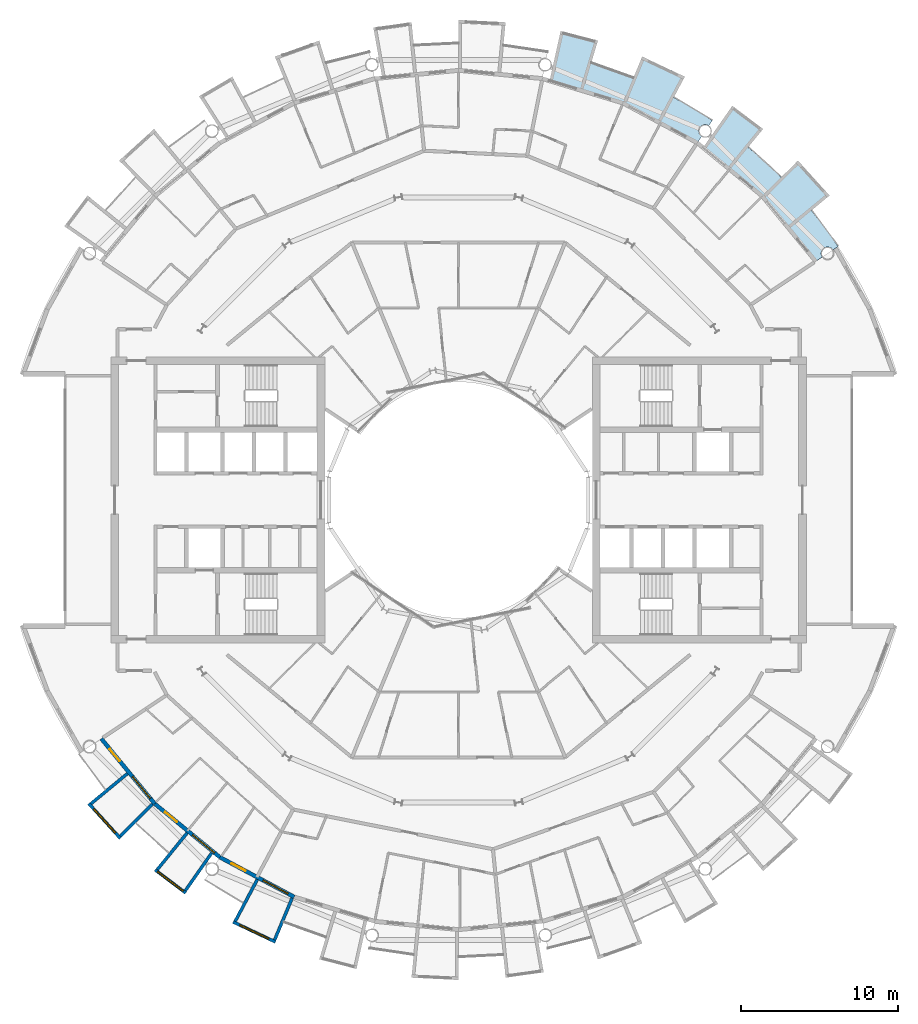
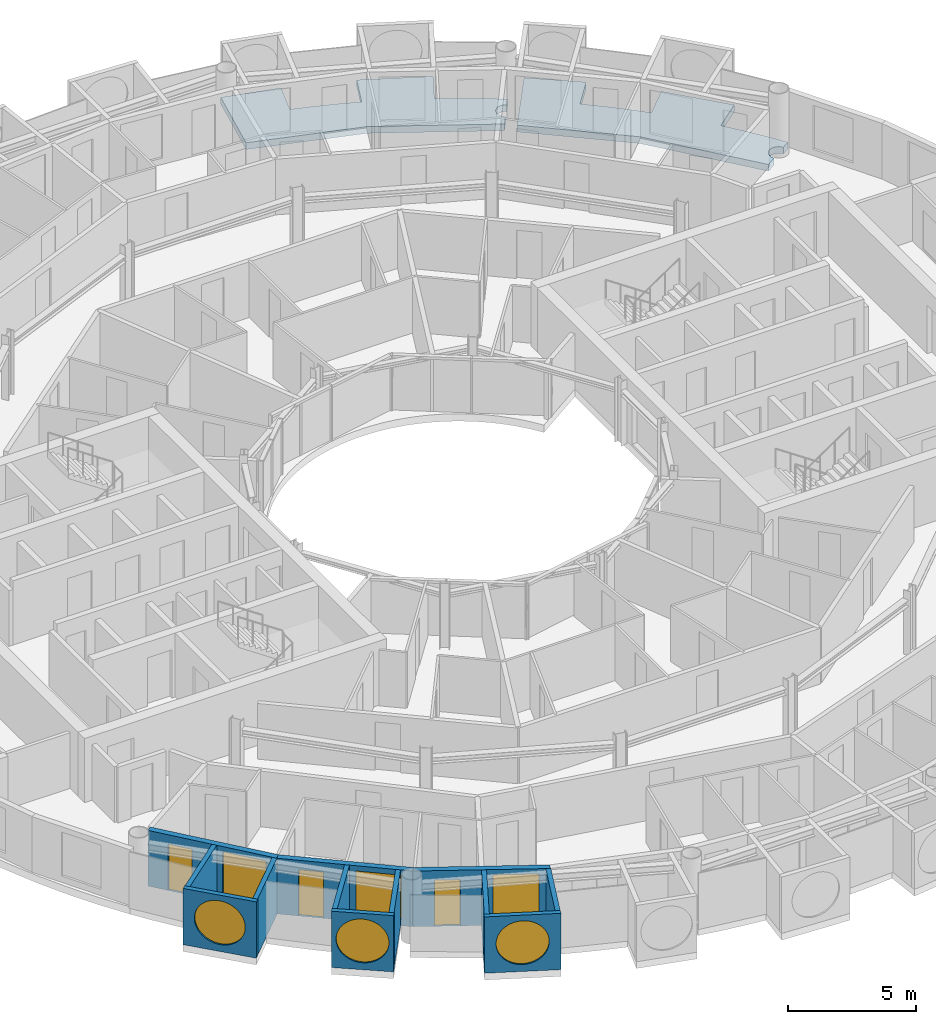
# One storey, part 13 of 26: 12 walls, 6 windows, 3 doors, 2 slabs, 9 openings.
"""IFC4 building model written with IfcOpenShell, lengths in metres."""

from ifc_helpers import new_model, si_unit, direction, frame, frame_2d, origin, place, context, subcontext, project, spatial, polyline, rectangle, circle, outline, extrude, material, layer, layer_set, type_object, element, fill, save


model = new_model("IFC4")

# Units and contexts
model_context = context("Model", 3, precision=1e-05, world=origin(), true_north=direction((0.0, 1.0)))
body_context = subcontext(model_context, "Body", "Model", "MODEL_VIEW")
ifc_project = project(units=[si_unit("LENGTHUNIT", "METRE"), si_unit("AREAUNIT", "SQUARE_METRE"), si_unit("VOLUMEUNIT", "CUBIC_METRE"), si_unit("PLANEANGLEUNIT", "RADIAN"), si_unit("MASSUNIT", "GRAM", prefix="KILO")], contexts=[model_context])

# Site, building, storey
site_placement = place(None, origin())
site = spatial("IfcSite", under=ifc_project, at=site_placement, CompositionType="ELEMENT")
building_placement = place(site_placement, origin())
building = spatial("IfcBuilding", under=site, at=building_placement, Name="Maasbend Ring Residences", CompositionType="ELEMENT")
storey_placement = place(building_placement, frame((0.0, 0.0, 176.85009765625)))
storey = spatial("IfcBuildingStorey", under=building, at=storey_placement, Name="L51", CompositionType="ELEMENT", Elevation=176.85009765625)

# Slabs
ifc_material_1 = material(Name="Concrete C40/50", Category="concrete")
ifc_layer_1 = layer(ifc_material_1, 0.199951171875)
ifc_layer_set_1 = layer_set([ifc_layer_1], Name="Concrete C40/50")
slab_type = type_object("IfcSlabType", Name="SL-LOGGIA", PredefinedType="FLOOR", material=ifc_layer_set_1)
slab_1_placement = place(storey_placement, frame((0.0, 0.0, -0.35009765625)))
element("IfcSlab", 1, at=slab_1_placement, inside=storey, type_object=slab_type, Name="Loggia floor 1", PredefinedType="FLOOR", context=body_context, shape_type="SweptSolid", body=[
    extrude(outline(polyline([(8.85400390625, 29.18701171875), (8.85400390625, 29.18701171875), (8.85400390625, 29.18701171875), (8.41796875, 27.751953125), (8.41796875, 27.751953125), (8.41796875, 27.751953125), (8.41796875, 27.751953125), (8.41796875, 27.751953125), (8.41796875, 27.751953125), (8.41796875, 27.7509765625), (8.41796875, 27.7509765625), (8.41796875, 27.7509765625), (8.41796875, 27.7509765625), (8.41796875, 27.7509765625), (8.4189453125, 27.7509765625), (8.4189453125, 27.7509765625), (8.4189453125, 27.7509765625), (8.4189453125, 27.7509765625), (8.4189453125, 27.7509765625), (8.4189453125, 27.7509765625), (9.322021484375, 27.4609375), (9.322021484375, 27.4609375), (10.215087890625, 27.14111328125), (10.215087890625, 27.14111328125), (11.096923828125, 26.79296875), (11.096923828125, 26.79296875), (11.096923828125, 26.79296875), (11.097900390625, 26.79296875), (11.097900390625, 26.79296875), (11.097900390625, 26.79296875), (11.097900390625, 26.79296875), (11.097900390625, 26.79296875), (11.097900390625, 26.79296875), (11.097900390625, 26.79296875), (11.097900390625, 26.79296875), (11.097900390625, 26.79296875), (11.097900390625, 26.79296875), (11.097900390625, 26.79296875), (11.097900390625, 26.79296875), (11.097900390625, 26.79296875), (11.097900390625, 26.79296875), (11.672119140625, 28.177978515625), (11.672119140625, 28.177978515625), (11.672119140625, 28.177978515625), (14.3779296875, 26.89892578125), (14.3779296875, 26.89892578125), (14.3779296875, 26.89892578125), (13.6708984375, 25.575927734375), (13.6708984375, 25.575927734375), (13.6708984375, 25.575927734375), (13.6708984375, 25.575927734375), (13.6708984375, 25.575927734375), (13.6708984375, 25.575927734375), (13.6708984375, 25.575927734375), (13.6708984375, 25.575927734375), (13.6708984375, 25.575927734375), (13.6708984375, 25.575927734375), (13.6708984375, 25.575927734375), (13.6708984375, 25.575927734375), (13.6708984375, 25.575927734375), (13.6708984375, 25.575927734375), (13.6708984375, 25.575927734375), (13.6708984375, 25.575927734375), (13.6708984375, 25.574951171875), (14.5, 25.114990234375), (14.5, 25.114990234375), (15.31396484375, 24.626953125), (15.31396484375, 24.626953125), (16.112060546875, 24.113037109375), (16.112060546875, 24.113037109375), (16.112060546875, 24.113037109375), (15.89306640625, 23.784912109375), (15.885009765625, 23.791015625), (15.8759765625, 23.7958984375), (15.866943359375, 23.801025390625), (15.85888671875, 23.805908203125), (15.85009765625, 23.81005859375), (15.841064453125, 23.81494140625), (15.83203125, 23.819091796875), (15.822998046875, 23.822998046875), (15.81298828125, 23.826904296875), (15.803955078125, 23.830078125), (15.794921875, 23.8330078125), (15.784912109375, 23.8359375), (15.77587890625, 23.839111328125), (15.76611328125, 23.842041015625), (15.756103515625, 23.843994140625), (15.74609375, 23.845947265625), (15.737060546875, 23.847900390625), (15.72705078125, 23.85009765625), (15.717041015625, 23.85107421875), (15.70703125, 23.85205078125), (15.697021484375, 23.85302734375), (15.68701171875, 23.85302734375), (15.677001953125, 23.85400390625), (15.6669921875, 23.85400390625), (15.656982421875, 23.85400390625), (15.64697265625, 23.85302734375), (15.636962890625, 23.85302734375), (15.626953125, 23.85205078125), (15.616943359375, 23.85107421875), (15.60693359375, 23.85009765625), (15.597900390625, 23.847900390625), (15.587890625, 23.845947265625), (15.577880859375, 23.843994140625), (15.568115234375, 23.842041015625), (15.55908203125, 23.839111328125), (15.549072265625, 23.8359375), (15.5400390625, 23.8330078125), (15.530029296875, 23.830078125), (15.52099609375, 23.826904296875), (15.511962890625, 23.822998046875), (15.501953125, 23.819091796875), (15.492919921875, 23.81494140625), (15.48388671875, 23.81005859375), (15.47509765625, 23.805908203125), (15.467041015625, 23.801025390625), (15.4580078125, 23.7958984375), (15.449951171875, 23.791015625), (15.44091796875, 23.784912109375), (15.43310546875, 23.780029296875), (15.425048828125, 23.77392578125), (15.4169921875, 23.76806640625), (15.408935546875, 23.761962890625), (15.402099609375, 23.7548828125), (15.39404296875, 23.7490234375), (15.386962890625, 23.741943359375), (15.3798828125, 23.735107421875), (15.373046875, 23.72802734375), (15.365966796875, 23.719970703125), (15.35888671875, 23.712890625), (15.35302734375, 23.705078125), (15.346923828125, 23.697021484375), (15.341064453125, 23.68994140625), (15.3349609375, 23.680908203125), (15.3291015625, 23.673095703125), (15.323974609375, 23.6650390625), (15.318115234375, 23.656005859375), (15.31298828125, 23.64794921875), (15.30908203125, 23.638916015625), (15.303955078125, 23.6298828125), (15.300048828125, 23.62109375), (15.294921875, 23.612060546875), (15.2919921875, 23.60302734375), (15.2880859375, 23.593994140625), (15.283935546875, 23.583984375), (15.281005859375, 23.574951171875), (15.278076171875, 23.56494140625), (15.27490234375, 23.555908203125), (15.27294921875, 23.5458984375), (15.27001953125, 23.535888671875), (15.26806640625, 23.527099609375), (15.26708984375, 23.51708984375), (15.264892578125, 23.507080078125), (15.263916015625, 23.4970703125), (15.262939453125, 23.487060546875), (15.261962890625, 23.47705078125), (15.260986328125, 23.467041015625), (15.260986328125, 23.45703125), (15.260986328125, 23.447021484375), (15.260986328125, 23.43701171875), (15.260986328125, 23.427001953125), (15.261962890625, 23.4169921875), (15.262939453125, 23.407958984375), (15.263916015625, 23.39794921875), (15.264892578125, 23.387939453125), (15.26708984375, 23.3779296875), (15.26806640625, 23.367919921875), (15.27001953125, 23.35791015625), (15.27294921875, 23.34912109375), (15.27490234375, 23.339111328125), (15.278076171875, 23.3291015625), (15.281005859375, 23.320068359375), (15.283935546875, 23.31005859375), (15.2880859375, 23.301025390625), (15.2919921875, 23.2919921875), (15.294921875, 23.282958984375), (15.300048828125, 23.27392578125), (15.303955078125, 23.264892578125), (15.30908203125, 23.256103515625), (15.31298828125, 23.2470703125), (15.318115234375, 23.238037109375), (15.323974609375, 23.22998046875), (15.3291015625, 23.221923828125), (15.3349609375, 23.212890625), (15.341064453125, 23.205078125), (15.346923828125, 23.197021484375), (15.35302734375, 23.18994140625), (15.35888671875, 23.181884765625), (15.365966796875, 23.174072265625), (15.373046875, 23.1669921875), (15.3798828125, 23.159912109375), (15.386962890625, 23.153076171875), (15.39404296875, 23.14599609375), (15.402099609375, 23.139892578125), (15.408935546875, 23.133056640625), (15.4169921875, 23.126953125), (15.425048828125, 23.12109375), (15.43310546875, 23.114990234375), (15.44091796875, 23.10888671875), (15.1669921875, 22.698974609375), (15.1669921875, 22.698974609375), (15.1669921875, 22.698974609375), (12.806884765625, 23.9609375), (10.447021484375, 25.221923828125), (10.447021484375, 25.221923828125), (10.447021484375, 25.221923828125), (7.886962890625, 25.9990234375), (5.797119140625, 26.633056640625), (5.797119140625, 26.633056640625), (5.797119140625, 26.633056640625), (6.487060546875, 29.802001953125), (6.487060546875, 29.802001953125), (6.487060546875, 29.802001953125), (8.85400390625, 29.18701171875)])), origin(), (0.0, 0.0, 1.0), 0.320068359375),
])
slab_2_placement = place(storey_placement, frame((0.0, 0.0, -0.35009765625)))
element("IfcSlab", 2, at=slab_2_placement, inside=storey, type_object=slab_type, Name="Loggia floor 4", PredefinedType="FLOOR", context=body_context, shape_type="SweptSolid", body=[
    extrude(outline(polyline([(19.34912109375, 23.576904296875), (19.34912109375, 23.576904296875), (19.34912109375, 23.576904296875), (18.39794921875, 22.41796875), (18.39794921875, 22.41796875), (18.39794921875, 22.41796875), (18.39794921875, 22.41796875), (18.39794921875, 22.41796875), (18.39794921875, 22.4169921875), (18.39794921875, 22.4169921875), (18.39794921875, 22.4169921875), (18.39794921875, 22.4169921875), (18.39794921875, 22.4169921875), (18.39794921875, 22.4169921875), (18.39794921875, 22.4169921875), (18.39794921875, 22.4169921875), (18.39794921875, 22.4169921875), (18.39794921875, 22.4169921875), (18.39794921875, 22.4169921875), (18.39794921875, 22.4169921875), (19.12109375, 21.802978515625), (19.12109375, 21.802978515625), (19.823974609375, 21.166015625), (19.823974609375, 21.166015625), (20.506103515625, 20.506103515625), (20.506103515625, 20.506103515625), (20.506103515625, 20.506103515625), (20.506103515625, 20.506103515625), (20.506103515625, 20.506103515625), (20.506103515625, 20.506103515625), (20.506103515625, 20.506103515625), (20.506103515625, 20.506103515625), (20.506103515625, 20.506103515625), (20.506103515625, 20.506103515625), (20.506103515625, 20.506103515625), (20.506103515625, 20.506103515625), (20.506103515625, 20.506103515625), (20.506103515625, 20.506103515625), (20.506103515625, 20.506103515625), (20.506103515625, 20.506103515625), (20.506103515625, 20.506103515625), (21.56689453125, 21.56689453125), (21.56689453125, 21.56689453125), (21.56689453125, 21.56689453125), (23.576904296875, 19.34912109375), (23.576904296875, 19.34912109375), (23.576904296875, 19.34912109375), (22.41796875, 18.39794921875), (22.41796875, 18.39794921875), (22.41796875, 18.39794921875), (22.41796875, 18.39794921875), (22.41796875, 18.39794921875), (22.41796875, 18.39794921875), (22.41796875, 18.39697265625), (22.41796875, 18.39697265625), (22.41796875, 18.39697265625), (22.41796875, 18.39697265625), (22.41796875, 18.39697265625), (22.41796875, 18.39697265625), (22.41796875, 18.39697265625), (22.41796875, 18.39697265625), (22.41796875, 18.39697265625), (22.41796875, 18.39697265625), (22.41796875, 18.39697265625), (23.007080078125, 17.654052734375), (23.007080078125, 17.654052734375), (23.572998046875, 16.89208984375), (23.572998046875, 16.89208984375), (24.113037109375, 16.112060546875), (24.113037109375, 16.112060546875), (24.113037109375, 16.112060546875), (23.784912109375, 15.89306640625), (23.784912109375, 15.89306640625), (23.780029296875, 15.90087890625), (23.77392578125, 15.908935546875), (23.76806640625, 15.9169921875), (23.761962890625, 15.925048828125), (23.7548828125, 15.93310546875), (23.7490234375, 15.93994140625), (23.741943359375, 15.947021484375), (23.735107421875, 15.955078125), (23.72802734375, 15.9619140625), (23.719970703125, 15.968017578125), (23.712890625, 15.97509765625), (23.705078125, 15.98095703125), (23.697021484375, 15.988037109375), (23.68994140625, 15.993896484375), (23.680908203125, 15.9990234375), (23.673095703125, 16.0048828125), (23.6650390625, 16.010986328125), (23.656005859375, 16.01611328125), (23.64794921875, 16.02099609375), (23.638916015625, 16.02587890625), (23.6298828125, 16.030029296875), (23.62109375, 16.034912109375), (23.612060546875, 16.0390625), (23.60302734375, 16.04296875), (23.593994140625, 16.0458984375), (23.583984375, 16.050048828125), (23.574951171875, 16.052978515625), (23.56494140625, 16.055908203125), (23.555908203125, 16.05908203125), (23.5458984375, 16.06103515625), (23.535888671875, 16.06396484375), (23.527099609375, 16.06591796875), (23.51708984375, 16.068115234375), (23.507080078125, 16.069091796875), (23.4970703125, 16.071044921875), (23.487060546875, 16.072021484375), (23.47705078125, 16.072021484375), (23.467041015625, 16.072998046875), (23.45703125, 16.072998046875), (23.447021484375, 16.073974609375), (23.43701171875, 16.072998046875), (23.427001953125, 16.072998046875), (23.4169921875, 16.072021484375), (23.407958984375, 16.072021484375), (23.39794921875, 16.071044921875), (23.387939453125, 16.069091796875), (23.3779296875, 16.068115234375), (23.367919921875, 16.06591796875), (23.35791015625, 16.06396484375), (23.34912109375, 16.06103515625), (23.339111328125, 16.05908203125), (23.3291015625, 16.055908203125), (23.320068359375, 16.052978515625), (23.31005859375, 16.050048828125), (23.301025390625, 16.0458984375), (23.2919921875, 16.04296875), (23.282958984375, 16.0390625), (23.27392578125, 16.034912109375), (23.264892578125, 16.030029296875), (23.256103515625, 16.02587890625), (23.2470703125, 16.02099609375), (23.238037109375, 16.01611328125), (23.22998046875, 16.010986328125), (23.221923828125, 16.0048828125), (23.212890625, 15.9990234375), (23.205078125, 15.993896484375), (23.197021484375, 15.988037109375), (23.18994140625, 15.98095703125), (23.181884765625, 15.97509765625), (23.174072265625, 15.968017578125), (23.1669921875, 15.9619140625), (23.159912109375, 15.955078125), (23.153076171875, 15.947021484375), (23.14599609375, 15.93994140625), (23.139892578125, 15.93310546875), (23.133056640625, 15.925048828125), (23.126953125, 15.9169921875), (23.12109375, 15.908935546875), (23.114990234375, 15.90087890625), (23.10888671875, 15.89306640625), (23.10400390625, 15.885009765625), (23.09912109375, 15.8759765625), (23.093994140625, 15.866943359375), (23.089111328125, 15.85888671875), (23.083984375, 15.85009765625), (23.080078125, 15.841064453125), (23.075927734375, 15.83203125), (23.072021484375, 15.822998046875), (23.068115234375, 15.81298828125), (23.06494140625, 15.803955078125), (23.06103515625, 15.794921875), (23.05810546875, 15.784912109375), (23.055908203125, 15.77587890625), (23.052978515625, 15.76611328125), (23.051025390625, 15.756103515625), (23.049072265625, 15.74609375), (23.047119140625, 15.737060546875), (23.044921875, 15.72705078125), (23.0439453125, 15.717041015625), (23.04296875, 15.70703125), (23.0419921875, 15.697021484375), (23.041015625, 15.68701171875), (23.041015625, 15.677001953125), (23.041015625, 15.6669921875), (23.041015625, 15.656982421875), (23.041015625, 15.64697265625), (23.0419921875, 15.636962890625), (23.04296875, 15.626953125), (23.0439453125, 15.616943359375), (23.044921875, 15.60693359375), (23.047119140625, 15.597900390625), (23.049072265625, 15.587890625), (23.051025390625, 15.577880859375), (23.052978515625, 15.568115234375), (23.055908203125, 15.55908203125), (23.05810546875, 15.549072265625), (23.06103515625, 15.5400390625), (23.06494140625, 15.530029296875), (23.068115234375, 15.52099609375), (23.072021484375, 15.511962890625), (23.075927734375, 15.501953125), (23.080078125, 15.492919921875), (23.083984375, 15.48388671875), (23.089111328125, 15.47509765625), (23.093994140625, 15.467041015625), (23.09912109375, 15.4580078125), (23.10400390625, 15.449951171875), (23.10888671875, 15.44091796875), (23.10888671875, 15.44091796875), (22.698974609375, 15.1669921875), (22.698974609375, 15.1669921875), (22.698974609375, 15.1669921875), (21.001953125, 17.236083984375), (19.303955078125, 19.303955078125), (19.303955078125, 19.303955078125), (19.303955078125, 19.303955078125), (17.236083984375, 21.001953125), (15.547119140625, 22.386962890625), (15.547119140625, 22.386962890625), (15.547119140625, 22.386962890625), (17.39794921875, 25.051025390625), (17.39794921875, 25.051025390625), (17.39794921875, 25.051025390625), (19.34912109375, 23.576904296875)])), origin(), (0.0, 0.0, 1.0), 0.320068359375),
])

# Wall, opening, window
ifc_material_2 = material(Name="Pale anodised aluminium panel", Category="aluminium")
ifc_layer_2 = layer(ifc_material_2, 0.199951171875)
ifc_layer_set_2 = layer_set([ifc_layer_2], Name="EW-BOX")
wall_type_1 = type_object("IfcWallType", Name="EW-BOX", PredefinedType="SOLIDWALL", material=ifc_layer_set_2)
wall_1_placement = place(storey_placement, frame((-23.5029296875, -19.281982421875, -0.030029296875), z_axis=(0.0, 0.0, 1.0), x_axis=(0.671506829416, -0.740998365753, 0.0)))
wall_1 = element("IfcWall", 3, at=wall_1_placement, inside=storey, type_object=wall_type_1, Name="Box front S02", PredefinedType="SOLIDWALL", context=body_context, shape_type="SweptSolid", body=[
    extrude(rectangle(XDim=2.9931640625, YDim=0.199951171875, at=frame_2d((1.49658203125, 0.0))), origin(), (0.0, 0.0, 1.0), 2.679931640625),
])
opening_1_placement = place(wall_1_placement, frame((0.45654296875, 0.0, 0.330078125)))
opening_1 = element("IfcOpeningElement", 4, at=opening_1_placement, cuts=wall_1, Name="Opening W-RD", PredefinedType="OPENING", context=body_context, shape_type="SweptSolid", body=[
    extrude(circle(Radius=1.0400390625, at=frame_2d((1.0400390625, 1.0400390625))), frame((0.0, 0.10986328125, 0.0), z_axis=(0.0, -1.0, 0.0), x_axis=(1.0, 0.0, 0.0)), (0.0, 0.0, 1.0), 0.219970703125),
])
ifc_material_3 = material(Name="Aluminium and clear glass", Category="aluminium")
window_type_1 = type_object("IfcWindowType", Name="W-RD", PartitioningType="SINGLE_PANEL", PredefinedType="WINDOW", material=ifc_material_3)
window_1_placement = place(opening_1_placement, origin())
window_1 = element("IfcWindow", 5, at=window_1_placement, inside=storey, type_object=window_type_1, Name="Round window S02", OverallHeight=2.080078125, OverallWidth=2.080078125, PartitioningType="SINGLE_PANEL", PredefinedType="WINDOW", context=body_context, shape_type="SweptSolid", body=[
    extrude(circle(Radius=1.0400390625, at=frame_2d((1.0400390625, 1.0400390625))), frame((0.0, 0.030029296875, 0.0), z_axis=(0.0, -1.0, 0.0), x_axis=(1.0, 0.0, 0.0)), (0.0, 0.0, 1.0), 0.06005859375),
])
fill(opening_1, window_1)

# Walls
wall_2_placement = place(storey_placement, frame((-21.041015625, -17.384033203125, -0.030029296875), z_axis=(0.0, 0.0, 1.0), x_axis=(-0.770784861449, -0.63709551667, 0.0)))
element("IfcWall", 6, at=wall_2_placement, inside=storey, type_object=wall_type_1, Name="Box side wall S02 left", PredefinedType="SOLIDWALL", context=body_context, shape_type="SweptSolid", body=[
    extrude(rectangle(XDim=3.005859375, YDim=0.199951171875, at=frame_2d((1.5029296875, 0.0))), origin(), (0.0, 0.0, 1.0), 2.679931640625),
])
wall_3_placement = place(storey_placement, frame((-19.449951171875, -19.322998046875, -0.030029296875), z_axis=(0.0, 0.0, 1.0), x_axis=(-0.709727076896, -0.704476739375, 0.0)))
element("IfcWall", 7, at=wall_3_placement, inside=storey, type_object=wall_type_1, Name="Box side wall S02 right", PredefinedType="SOLIDWALL", context=body_context, shape_type="SweptSolid", body=[
    extrude(rectangle(XDim=2.883056640625, YDim=0.199951171875, at=frame_2d((1.44140625, 0.0))), origin(), (0.0, 0.0, 1.0), 2.679931640625),
])

# Wall, opening, window
wall_4_placement = place(storey_placement, frame((-19.2890625, -23.4970703125, -0.030029296875), z_axis=(0.0, 0.0, 1.0), x_axis=(0.797887588059, -0.602806268067, 0.0)))
wall_4 = element("IfcWall", 8, at=wall_4_placement, inside=storey, type_object=wall_type_1, Name="Box front S04", PredefinedType="SOLIDWALL", context=body_context, shape_type="SweptSolid", body=[
    extrude(rectangle(XDim=2.446533203125, YDim=0.199951171875, at=frame_2d((1.22314453125, 0.0))), origin(), (0.0, 0.0, 1.0), 2.679931640625),
])
opening_2_placement = place(wall_4_placement, frame((0.182861328125, 0.0, 0.330078125)))
opening_2 = element("IfcOpeningElement", 9, at=opening_2_placement, cuts=wall_4, Name="Opening W-RD", PredefinedType="OPENING", context=body_context, shape_type="SweptSolid", body=[
    extrude(circle(Radius=1.0400390625, at=frame_2d((1.0400390625, 1.0400390625))), frame((0.0, 0.10986328125, 0.0), z_axis=(0.0, -1.0, 0.0), x_axis=(1.0, 0.0, 0.0)), (0.0, 0.0, 1.0), 0.219970703125),
])
window_2_placement = place(opening_2_placement, origin())
window_2 = element("IfcWindow", 10, at=window_2_placement, inside=storey, type_object=window_type_1, Name="Round window S04", OverallHeight=2.080078125, OverallWidth=2.080078125, PartitioningType="SINGLE_PANEL", PredefinedType="WINDOW", context=body_context, shape_type="SweptSolid", body=[
    extrude(circle(Radius=1.0400390625, at=frame_2d((1.0400390625, 1.0400390625))), frame((0.0, 0.030029296875, 0.0), z_axis=(0.0, -1.0, 0.0), x_axis=(1.0, 0.0, 0.0)), (0.0, 0.0, 1.0), 0.06005859375),
])
fill(opening_2, window_2)

# Walls
wall_5_placement = place(storey_placement, frame((-17.24609375, -21.155029296875, -0.030029296875), z_axis=(0.0, 0.0, 1.0), x_axis=(-0.631741648902, -0.775179004516, 0.0)))
element("IfcWall", 11, at=wall_5_placement, inside=storey, type_object=wall_type_1, Name="Box side wall S04 left", PredefinedType="SOLIDWALL", context=body_context, shape_type="SweptSolid", body=[
    extrude(rectangle(XDim=3.005859375, YDim=0.199951171875, at=frame_2d((1.5029296875, 0.0))), origin(), (0.0, 0.0, 1.0), 2.679931640625),
])
wall_6_placement = place(storey_placement, frame((-15.68798828125, -22.43310546875, -0.030029296875), z_axis=(0.0, 0.0, 1.0), x_axis=(-0.573260687834, -0.819373043115, 0.0)))
element("IfcWall", 12, at=wall_6_placement, inside=storey, type_object=wall_type_1, Name="Box side wall S04 right", PredefinedType="SOLIDWALL", context=body_context, shape_type="SweptSolid", body=[
    extrude(rectangle(XDim=2.92529296875, YDim=0.199951171875, at=frame_2d((1.462646484375, 0.0))), origin(), (0.0, 0.0, 1.0), 2.679931640625),
])

# Wall, opening, window
wall_7_placement = place(storey_placement, frame((-14.3349609375, -26.80810546875, -0.030029296875), z_axis=(0.0, 0.0, 1.0), x_axis=(0.904000060331, -0.427532327342, 0.0)))
wall_7 = element("IfcWall", 13, at=wall_7_placement, inside=storey, type_object=wall_type_1, Name="Box front S06", PredefinedType="SOLIDWALL", context=body_context, shape_type="SweptSolid", body=[
    extrude(rectangle(XDim=2.993408203125, YDim=0.199951171875, at=frame_2d((1.49658203125, 0.0))), origin(), (0.0, 0.0, 1.0), 2.679931640625),
])
opening_3_placement = place(wall_7_placement, frame((0.45654296875, 0.0, 0.330078125)))
opening_3 = element("IfcOpeningElement", 14, at=opening_3_placement, cuts=wall_7, Name="Opening W-RD", PredefinedType="OPENING", context=body_context, shape_type="SweptSolid", body=[
    extrude(circle(Radius=1.0400390625, at=frame_2d((1.0400390625, 1.0400390625))), frame((0.0, 0.10986328125, 0.0), z_axis=(0.0, -1.0, 0.0), x_axis=(1.0, 0.0, 0.0)), (0.0, 0.0, 1.0), 0.219970703125),
])
window_3_placement = place(opening_3_placement, origin())
window_3 = element("IfcWindow", 15, at=window_3_placement, inside=storey, type_object=window_type_1, Name="Round window S06", OverallHeight=2.080078125, OverallWidth=2.080078125, PartitioningType="SINGLE_PANEL", PredefinedType="WINDOW", context=body_context, shape_type="SweptSolid", body=[
    extrude(circle(Radius=1.0400390625, at=frame_2d((1.0400390625, 1.0400390625))), frame((0.0, 0.030029296875, 0.0), z_axis=(0.0, -1.0, 0.0), x_axis=(1.0, 0.0, 0.0)), (0.0, 0.0, 1.0), 0.06005859375),
])
fill(opening_3, window_3)

# Walls
wall_8_placement = place(storey_placement, frame((-12.787109375, -24.113037109375, -0.030029296875), z_axis=(0.0, 0.0, 1.0), x_axis=(-0.468365282436, -0.883534924159, 0.0)))
element("IfcWall", 16, at=wall_8_placement, inside=storey, type_object=wall_type_1, Name="Box side wall S06 left", PredefinedType="SOLIDWALL", context=body_context, shape_type="SweptSolid", body=[
    extrude(rectangle(XDim=3.006103515625, YDim=0.199951171875, at=frame_2d((1.5029296875, 0.0))), origin(), (0.0, 0.0, 1.0), 2.679931640625),
])
wall_9_placement = place(storey_placement, frame((-10.574951171875, -25.294921875, -0.030029296875), z_axis=(0.0, 0.0, 1.0), x_axis=(-0.385697364644, -0.922625353492, 0.0)))
element("IfcWall", 17, at=wall_9_placement, inside=storey, type_object=wall_type_1, Name="Box side wall S06 right", PredefinedType="SOLIDWALL", context=body_context, shape_type="SweptSolid", body=[
    extrude(rectangle(XDim=2.88330078125, YDim=0.199951171875, at=frame_2d((1.441650390625, 0.0))), origin(), (0.0, 0.0, 1.0), 2.679931640625),
])

# Wall, openings, door, window
ifc_material_4 = material(Name="Aluminium clad insulated panel", Category="aluminium")
ifc_layer_3 = layer(ifc_material_4, 0.25)
ifc_layer_set_3 = layer_set([ifc_layer_3], Name="EW-GL")
wall_type_2 = type_object("IfcWallType", Name="EW-GL", PredefinedType="SOLIDWALL", material=ifc_layer_set_3)
wall_10_placement = place(storey_placement, frame((-22.698974609375, -15.1669921875, 0.0), z_axis=(0.0, 0.0, 1.0), x_axis=(0.634382322723, -0.773019449054, 0.0)))
wall_10 = element("IfcWall", 18, at=wall_10_placement, inside=storey, type_object=wall_type_2, Name="External wall S01", PredefinedType="SOLIDWALL", context=body_context, shape_type="SweptSolid", body=[
    extrude(rectangle(XDim=5.351806640625, YDim=0.25, at=frame_2d((2.67578125, 0.0))), origin(), (0.0, 0.0, 1.0), 2.64990234375),
])
opening_4_placement = place(wall_10_placement, frame((0.841064453125, 0.0, 0.0)))
opening_4 = element("IfcOpeningElement", 19, at=opening_4_placement, cuts=wall_10, Name="Opening D-LG", PredefinedType="OPENING", context=body_context, shape_type="SweptSolid", body=[
    extrude(rectangle(XDim=1.0, YDim=2.199951171875, at=frame_2d((0.5, 1.10009765625))), frame((0.0, 0.135009765625, 0.0), z_axis=(0.0, -1.0, 0.0), x_axis=(1.0, 0.0, 0.0)), (0.0, 0.0, 1.0), 0.27001953125),
])
opening_5_placement = place(wall_10_placement, frame((3.110595703125, 0.0, 0.300048828125)))
opening_5 = element("IfcOpeningElement", 20, at=opening_5_placement, cuts=wall_10, Name="Opening W-BX", PredefinedType="OPENING", context=body_context, shape_type="SweptSolid", body=[
    extrude(rectangle(XDim=1.800048828125, YDim=2.10009765625, at=frame_2d((0.89990234375, 1.050048828125))), frame((0.0, 0.135009765625, 0.0), z_axis=(0.0, -1.0, 0.0), x_axis=(1.0, 0.0, 0.0)), (0.0, 0.0, 1.0), 0.27001953125),
])
ifc_material_5 = material(Name="Aluminium and clear glass", Category="aluminium")
door_type = type_object("IfcDoorType", Name="D-LG", OperationType="SINGLE_SWING_LEFT", PredefinedType="DOOR", material=ifc_material_5)
door_1_placement = place(opening_4_placement, origin())
door_1 = element("IfcDoor", 21, at=door_1_placement, inside=storey, type_object=door_type, Name="Loggia door S01", OperationType="SINGLE_SWING_LEFT", OverallHeight=2.199951171875, OverallWidth=1.0, PredefinedType="DOOR", context=body_context, shape_type="SweptSolid", body=[
    extrude(rectangle(XDim=1.0, YDim=2.199951171875, at=frame_2d((0.5, 1.10009765625))), frame((0.0, 0.02490234375, 0.0), z_axis=(0.0, -1.0, 0.0), x_axis=(1.0, 0.0, 0.0)), (0.0, 0.0, 1.0), 0.050048828125),
])
fill(opening_4, door_1)
ifc_material_6 = material(Name="Aluminium and clear glass", Category="aluminium")
window_type_2 = type_object("IfcWindowType", Name="W-BX", PartitioningType="DOUBLE_PANEL_VERTICAL", PredefinedType="WINDOW", material=ifc_material_6)
window_4_placement = place(opening_5_placement, origin())
window_4 = element("IfcWindow", 22, at=window_4_placement, inside=storey, type_object=window_type_2, Name="Window S02 room to box", OverallHeight=2.10009765625, OverallWidth=1.800048828125, PartitioningType="SINGLE_PANEL", PredefinedType="WINDOW", context=body_context, shape_type="SweptSolid", body=[
    extrude(rectangle(XDim=1.800048828125, YDim=2.10009765625, at=frame_2d((0.89990234375, 1.050048828125))), frame((0.0, 0.030029296875, 0.0), z_axis=(0.0, -1.0, 0.0), x_axis=(1.0, 0.0, 0.0)), (0.0, 0.0, 1.0), 0.06005859375),
])
fill(opening_5, window_4)

wall_11_placement = place(storey_placement, frame((-19.303955078125, -19.303955078125, 0.0), z_axis=(0.0, 0.0, 1.0), x_axis=(0.773019449054, -0.634382322723, 0.0)))
wall_11 = element("IfcWall", 23, at=wall_11_placement, inside=storey, type_object=wall_type_2, Name="External wall S02", PredefinedType="SOLIDWALL", context=body_context, shape_type="SweptSolid", body=[
    extrude(rectangle(XDim=5.351806640625, YDim=0.25, at=frame_2d((2.67578125, 0.0))), origin(), (0.0, 0.0, 1.0), 2.64990234375),
])
opening_6_placement = place(wall_11_placement, frame((0.841064453125, 0.0, 0.0)))
opening_6 = element("IfcOpeningElement", 24, at=opening_6_placement, cuts=wall_11, Name="Opening D-LG", PredefinedType="OPENING", context=body_context, shape_type="SweptSolid", body=[
    extrude(rectangle(XDim=1.0, YDim=2.199951171875, at=frame_2d((0.5, 1.10009765625))), frame((0.0, 0.135009765625, 0.0), z_axis=(0.0, -1.0, 0.0), x_axis=(1.0, 0.0, 0.0)), (0.0, 0.0, 1.0), 0.27001953125),
])
opening_7_placement = place(wall_11_placement, frame((3.110595703125, 0.0, 0.300048828125)))
opening_7 = element("IfcOpeningElement", 25, at=opening_7_placement, cuts=wall_11, Name="Opening W-BX", PredefinedType="OPENING", context=body_context, shape_type="SweptSolid", body=[
    extrude(rectangle(XDim=1.800048828125, YDim=2.10009765625, at=frame_2d((0.89990234375, 1.050048828125))), frame((0.0, 0.135009765625, 0.0), z_axis=(0.0, -1.0, 0.0), x_axis=(1.0, 0.0, 0.0)), (0.0, 0.0, 1.0), 0.27001953125),
])
door_2_placement = place(opening_6_placement, origin())
door_2 = element("IfcDoor", 26, at=door_2_placement, inside=storey, type_object=door_type, Name="Loggia door S03", OperationType="SINGLE_SWING_LEFT", OverallHeight=2.199951171875, OverallWidth=1.0, PredefinedType="DOOR", context=body_context, shape_type="SweptSolid", body=[
    extrude(rectangle(XDim=1.0, YDim=2.199951171875, at=frame_2d((0.5, 1.10009765625))), frame((0.0, 0.02490234375, 0.0), z_axis=(0.0, -1.0, 0.0), x_axis=(1.0, 0.0, 0.0)), (0.0, 0.0, 1.0), 0.050048828125),
])
fill(opening_6, door_2)
window_5_placement = place(opening_7_placement, origin())
window_5 = element("IfcWindow", 27, at=window_5_placement, inside=storey, type_object=window_type_2, Name="Window S04 room to box", OverallHeight=2.10009765625, OverallWidth=1.800048828125, PartitioningType="SINGLE_PANEL", PredefinedType="WINDOW", context=body_context, shape_type="SweptSolid", body=[
    extrude(rectangle(XDim=1.800048828125, YDim=2.10009765625, at=frame_2d((0.89990234375, 1.050048828125))), frame((0.0, 0.030029296875, 0.0), z_axis=(0.0, -1.0, 0.0), x_axis=(1.0, 0.0, 0.0)), (0.0, 0.0, 1.0), 0.06005859375),
])
fill(opening_7, window_5)

wall_12_placement = place(storey_placement, frame((-15.1669921875, -22.698974609375, 0.0), z_axis=(0.0, 0.0, 1.0), x_axis=(0.881915646801, -0.471407246368, 0.0)))
wall_12 = element("IfcWall", 28, at=wall_12_placement, inside=storey, type_object=wall_type_2, Name="External wall S03", PredefinedType="SOLIDWALL", context=body_context, shape_type="SweptSolid", body=[
    extrude(rectangle(XDim=5.35205078125, YDim=0.25, at=frame_2d((2.676025390625, 0.0))), origin(), (0.0, 0.0, 1.0), 2.64990234375),
])
opening_8_placement = place(wall_12_placement, frame((0.841064453125, 0.0, 0.0)))
opening_8 = element("IfcOpeningElement", 29, at=opening_8_placement, cuts=wall_12, Name="Opening D-LG", PredefinedType="OPENING", context=body_context, shape_type="SweptSolid", body=[
    extrude(rectangle(XDim=1.0, YDim=2.199951171875, at=frame_2d((0.5, 1.10009765625))), frame((0.0, 0.135009765625, 0.0), z_axis=(0.0, -1.0, 0.0), x_axis=(1.0, 0.0, 0.0)), (0.0, 0.0, 1.0), 0.27001953125),
])
opening_9_placement = place(wall_12_placement, frame((3.110595703125, 0.0, 0.300048828125)))
opening_9 = element("IfcOpeningElement", 30, at=opening_9_placement, cuts=wall_12, Name="Opening W-BX", PredefinedType="OPENING", context=body_context, shape_type="SweptSolid", body=[
    extrude(rectangle(XDim=1.800048828125, YDim=2.10009765625, at=frame_2d((0.89990234375, 1.050048828125))), frame((0.0, 0.135009765625, 0.0), z_axis=(0.0, -1.0, 0.0), x_axis=(1.0, 0.0, 0.0)), (0.0, 0.0, 1.0), 0.27001953125),
])
door_3_placement = place(opening_8_placement, origin())
door_3 = element("IfcDoor", 31, at=door_3_placement, inside=storey, type_object=door_type, Name="Loggia door S05", OperationType="SINGLE_SWING_LEFT", OverallHeight=2.199951171875, OverallWidth=1.0, PredefinedType="DOOR", context=body_context, shape_type="SweptSolid", body=[
    extrude(rectangle(XDim=1.0, YDim=2.199951171875, at=frame_2d((0.5, 1.10009765625))), frame((0.0, 0.02490234375, 0.0), z_axis=(0.0, -1.0, 0.0), x_axis=(1.0, 0.0, 0.0)), (0.0, 0.0, 1.0), 0.050048828125),
])
fill(opening_8, door_3)
window_6_placement = place(opening_9_placement, origin())
window_6 = element("IfcWindow", 32, at=window_6_placement, inside=storey, type_object=window_type_2, Name="Window S06 room to box", OverallHeight=2.10009765625, OverallWidth=1.800048828125, PartitioningType="SINGLE_PANEL", PredefinedType="WINDOW", context=body_context, shape_type="SweptSolid", body=[
    extrude(rectangle(XDim=1.800048828125, YDim=2.10009765625, at=frame_2d((0.89990234375, 1.050048828125))), frame((0.0, 0.030029296875, 0.0), z_axis=(0.0, -1.0, 0.0), x_axis=(1.0, 0.0, 0.0)), (0.0, 0.0, 1.0), 0.06005859375),
])
fill(opening_9, window_6)

save(model, "model.ifc")
